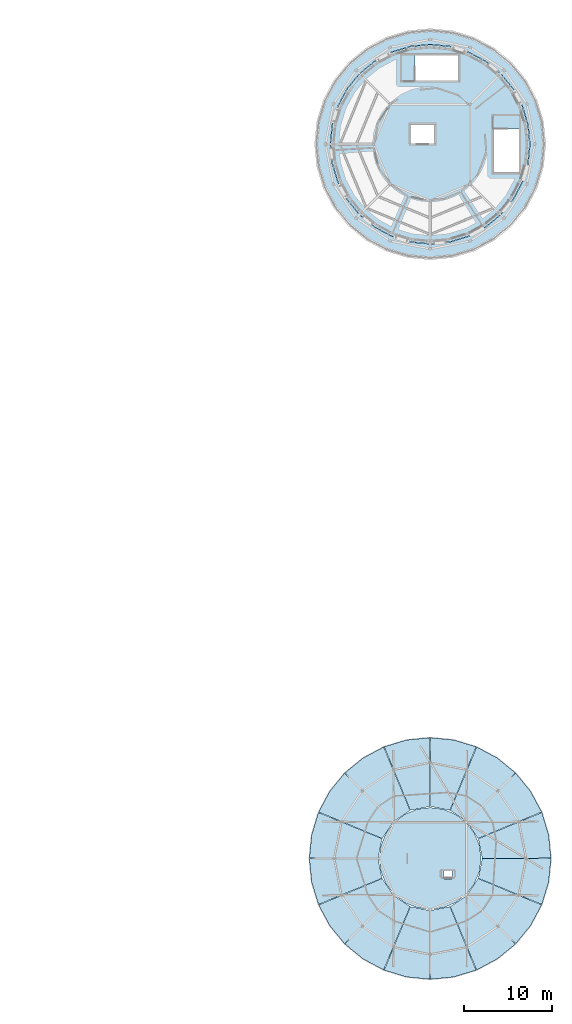
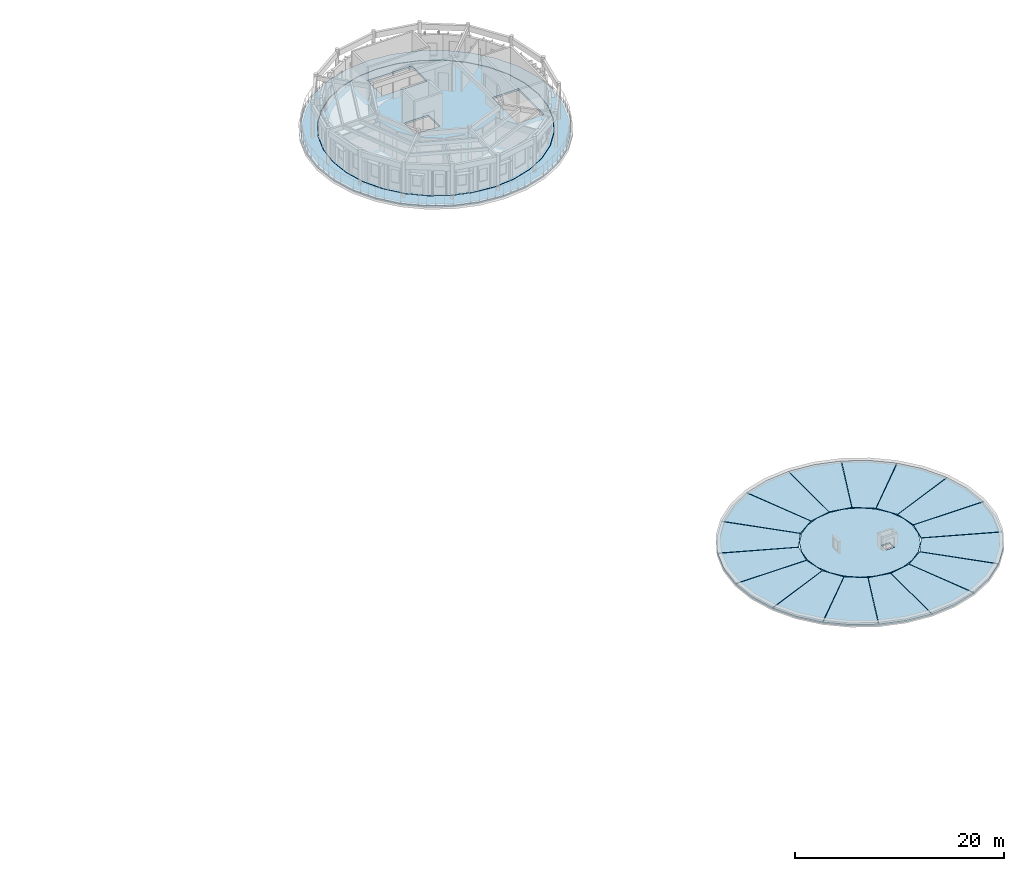
# One storey, part 13 of 37: 19 slabs.
"""IFC4 building model written with IfcOpenShell, lengths in metres."""

from ifc_helpers import new_model, si_unit, direction, frame, origin, place, context, subcontext, project, spatial, polyline, outline, extrude, material, layer, layer_set, type_object, element, save


model = new_model("IFC4")

# Units and contexts
model_context = context("Model", 3, precision=1e-05, world=origin(), true_north=direction((0.0, 1.0)))
body_context = subcontext(model_context, "Body", "Model", "MODEL_VIEW")
ifc_project = project(units=[si_unit("LENGTHUNIT", "METRE"), si_unit("AREAUNIT", "SQUARE_METRE"), si_unit("VOLUMEUNIT", "CUBIC_METRE"), si_unit("PLANEANGLEUNIT", "RADIAN"), si_unit("MASSUNIT", "GRAM", prefix="KILO")], contexts=[model_context])

# Site, building, storey
site_placement = place(None, origin())
site = spatial("IfcSite", under=ifc_project, at=site_placement, CompositionType="ELEMENT")
building_placement = place(site_placement, origin())
building = spatial("IfcBuilding", under=site, at=building_placement, Name="Aldenvaro Health Centre", CompositionType="ELEMENT")
storey_placement = place(building_placement, frame((0.0, 0.0, 12.949951171875)))
storey = spatial("IfcBuildingStorey", under=building, at=storey_placement, Name="L03", CompositionType="ELEMENT", Elevation=12.949951171875)

# Slabs
ifc_material_1 = material(Name="Cross-laminated timber CLT E1", Category="wood")
ifc_layer_1 = layer(ifc_material_1, 0.22509765625, Name="Cross-laminated timber CLT E1", Category="wood")
ifc_layer_set_1 = layer_set([ifc_layer_1], Name="Cross-laminated timber CLT E1")
slab_type_1 = type_object("IfcSlabType", Name="SLB-CLT-225", PredefinedType="FLOOR", material=ifc_layer_set_1)
slab_1_placement = place(storey_placement, frame((0.0, 0.0, -0.224853515625)))
element("IfcSlab", 1, at=slab_1_placement, inside=storey, type_object=slab_type_1, Name="D2 L03 floor slab", PredefinedType="FLOOR", context=body_context, shape_type="SweptSolid", body=[
    extrude(outline(polyline([(165.800048828125, 99.5), (165.5830078125, 101.705078125), (164.93994140625, 103.823974609375), (163.89599609375, 105.778076171875), (162.489990234375, 107.489990234375), (160.778076171875, 108.89599609375), (158.823974609375, 109.93994140625), (156.705078125, 110.5830078125), (154.5, 110.800048828125), (152.294921875, 110.5830078125), (150.176025390625, 109.93994140625), (148.221923828125, 108.89599609375), (146.510009765625, 107.489990234375), (145.10400390625, 105.778076171875), (144.06005859375, 103.823974609375), (143.4169921875, 101.705078125), (143.199951171875, 99.5), (143.4169921875, 97.294921875), (144.06005859375, 95.176025390625), (145.10400390625, 93.221923828125), (146.510009765625, 91.510009765625), (148.221923828125, 90.10400390625), (150.176025390625, 89.06005859375), (152.294921875, 88.4169921875), (154.5, 88.199951171875), (156.705078125, 88.4169921875), (158.823974609375, 89.06005859375), (160.778076171875, 90.10400390625), (162.489990234375, 91.510009765625), (163.89599609375, 93.221923828125), (164.93994140625, 95.176025390625), (165.5830078125, 97.294921875), (165.800048828125, 99.5)]), holes=[polyline([(161.699951171875, 101.199951171875), (161.699951171875, 96.300048828125), (164.60009765625, 96.300048828125), (164.60009765625, 101.199951171875), (161.699951171875, 101.199951171875)]), polyline([(152.800048828125, 106.699951171875), (157.699951171875, 106.699951171875), (157.699951171875, 109.60009765625), (152.800048828125, 109.60009765625), (152.800048828125, 106.699951171875)]), polyline([(152.324951171875, 99.574951171875), (154.97509765625, 99.574951171875), (154.97509765625, 101.72509765625), (152.324951171875, 101.72509765625), (152.324951171875, 99.574951171875)])]), origin(), (0.0, 0.0, 1.0), 0.224853515625),
])
ifc_layer_2 = layer(ifc_material_1, 0.175048828125, Name="Cross-laminated timber CLT E1", Category="wood")
ifc_layer_set_2 = layer_set([ifc_layer_2], Name="Cross-laminated timber CLT E1")
slab_type_2 = type_object("IfcSlabType", Name="SLB-ROOF-175", PredefinedType="ROOF", material=ifc_layer_set_2)
slab_2_placement = place(storey_placement, frame((0.0, 0.0, 0.6201171875)))
element("IfcSlab", 2, at=slab_2_placement, inside=storey, type_object=slab_type_2, Name="D6 Overhanging Flat Roof Sector 01", PredefinedType="ROOF", context=body_context, shape_type="SweptSolid", body=[
    extrude(outline(polyline([(168.199951171875, 18.529052734375), (167.93701171875, 21.173095703125), (167.16796875, 23.717041015625), (159.9560546875, 20.7470703125), (160.39990234375, 18.511962890625), (168.199951171875, 18.529052734375)])), origin(), (0.0, 0.0, 1.0), 0.175048828125),
])
slab_3_placement = place(storey_placement, frame((0.0, 0.0, 0.6201171875)))
element("IfcSlab", 3, at=slab_3_placement, inside=storey, type_object=slab_type_2, Name="D6 Overhanging Flat Roof Sector 02", PredefinedType="ROOF", context=body_context, shape_type="SweptSolid", body=[
    extrude(outline(polyline([(167.14599609375, 23.77001953125), (165.89111328125, 26.111083984375), (164.2080078125, 28.1669921875), (158.680908203125, 22.6630859375), (159.946044921875, 20.76904296875), (167.14599609375, 23.77001953125)])), origin(), (0.0, 0.0, 1.0), 0.175048828125),
])
slab_4_placement = place(storey_placement, frame((0.0, 0.0, 0.6201171875)))
element("IfcSlab", 4, at=slab_4_placement, inside=storey, type_object=slab_type_2, Name="D6 Overhanging Flat Roof Sector 03", PredefinedType="ROOF", context=body_context, shape_type="SweptSolid", body=[
    extrude(outline(polyline([(164.1669921875, 28.2080078125), (162.111083984375, 29.89111328125), (159.77001953125, 31.14599609375), (156.76904296875, 23.946044921875), (158.6630859375, 22.680908203125), (164.1669921875, 28.2080078125)])), origin(), (0.0, 0.0, 1.0), 0.175048828125),
])
slab_5_placement = place(storey_placement, frame((0.0, 0.0, 0.6201171875)))
element("IfcSlab", 5, at=slab_5_placement, inside=storey, type_object=slab_type_2, Name="D6 Overhanging Flat Roof Sector 04", PredefinedType="ROOF", context=body_context, shape_type="SweptSolid", body=[
    extrude(outline(polyline([(159.717041015625, 31.16796875), (157.173095703125, 31.93701171875), (154.529052734375, 32.199951171875), (154.511962890625, 24.39990234375), (156.7470703125, 23.9560546875), (159.717041015625, 31.16796875)])), origin(), (0.0, 0.0, 1.0), 0.175048828125),
])
slab_6_placement = place(storey_placement, frame((0.0, 0.0, 0.6201171875)))
element("IfcSlab", 6, at=slab_6_placement, inside=storey, type_object=slab_type_2, Name="D6 Overhanging Flat Roof Sector 05", PredefinedType="ROOF", context=body_context, shape_type="SweptSolid", body=[
    extrude(outline(polyline([(154.470947265625, 32.199951171875), (151.826904296875, 31.93701171875), (149.282958984375, 31.16796875), (152.2529296875, 23.9560546875), (154.488037109375, 24.39990234375), (154.470947265625, 32.199951171875)])), origin(), (0.0, 0.0, 1.0), 0.175048828125),
])
slab_7_placement = place(storey_placement, frame((0.0, 0.0, 0.6201171875)))
element("IfcSlab", 7, at=slab_7_placement, inside=storey, type_object=slab_type_2, Name="D6 Overhanging Flat Roof Sector 06", PredefinedType="ROOF", context=body_context, shape_type="SweptSolid", body=[
    extrude(outline(polyline([(149.22998046875, 31.14599609375), (146.888916015625, 29.89111328125), (144.8330078125, 28.2080078125), (150.3369140625, 22.680908203125), (152.23095703125, 23.946044921875), (149.22998046875, 31.14599609375)])), origin(), (0.0, 0.0, 1.0), 0.175048828125),
])
slab_8_placement = place(storey_placement, frame((0.0, 0.0, 0.6201171875)))
element("IfcSlab", 8, at=slab_8_placement, inside=storey, type_object=slab_type_2, Name="D6 Overhanging Flat Roof Sector 07", PredefinedType="ROOF", context=body_context, shape_type="SweptSolid", body=[
    extrude(outline(polyline([(144.7919921875, 28.1669921875), (143.10888671875, 26.111083984375), (141.85400390625, 23.77001953125), (149.053955078125, 20.76904296875), (150.319091796875, 22.6630859375), (144.7919921875, 28.1669921875)])), origin(), (0.0, 0.0, 1.0), 0.175048828125),
])
slab_9_placement = place(storey_placement, frame((0.0, 0.0, 0.6201171875)))
element("IfcSlab", 9, at=slab_9_placement, inside=storey, type_object=slab_type_2, Name="D6 Overhanging Flat Roof Sector 08", PredefinedType="ROOF", context=body_context, shape_type="SweptSolid", body=[
    extrude(outline(polyline([(141.83203125, 23.717041015625), (141.06298828125, 21.173095703125), (140.800048828125, 18.529052734375), (148.60009765625, 18.511962890625), (149.0439453125, 20.7470703125), (141.83203125, 23.717041015625)])), origin(), (0.0, 0.0, 1.0), 0.175048828125),
])
slab_10_placement = place(storey_placement, frame((0.0, 0.0, 0.6201171875)))
element("IfcSlab", 10, at=slab_10_placement, inside=storey, type_object=slab_type_2, Name="D6 Overhanging Flat Roof Sector 09", PredefinedType="ROOF", context=body_context, shape_type="SweptSolid", body=[
    extrude(outline(polyline([(140.800048828125, 18.470947265625), (141.06298828125, 15.826904296875), (141.83203125, 13.282958984375), (149.0439453125, 16.2529296875), (148.60009765625, 18.488037109375), (140.800048828125, 18.470947265625)])), origin(), (0.0, 0.0, 1.0), 0.175048828125),
])
slab_11_placement = place(storey_placement, frame((0.0, 0.0, 0.6201171875)))
element("IfcSlab", 11, at=slab_11_placement, inside=storey, type_object=slab_type_2, Name="D6 Overhanging Flat Roof Sector 10", PredefinedType="ROOF", context=body_context, shape_type="SweptSolid", body=[
    extrude(outline(polyline([(141.85400390625, 13.22998046875), (143.10888671875, 10.888916015625), (144.7919921875, 8.8330078125), (150.319091796875, 14.3369140625), (149.053955078125, 16.23095703125), (141.85400390625, 13.22998046875)])), origin(), (0.0, 0.0, 1.0), 0.175048828125),
])
slab_12_placement = place(storey_placement, frame((0.0, 0.0, 0.6201171875)))
element("IfcSlab", 12, at=slab_12_placement, inside=storey, type_object=slab_type_2, Name="D6 Overhanging Flat Roof Sector 11", PredefinedType="ROOF", context=body_context, shape_type="SweptSolid", body=[
    extrude(outline(polyline([(144.8330078125, 8.7919921875), (146.888916015625, 7.10888671875), (149.22998046875, 5.85400390625), (152.23095703125, 13.053955078125), (150.3369140625, 14.319091796875), (144.8330078125, 8.7919921875)])), origin(), (0.0, 0.0, 1.0), 0.175048828125),
])
slab_13_placement = place(storey_placement, frame((0.0, 0.0, 0.6201171875)))
element("IfcSlab", 13, at=slab_13_placement, inside=storey, type_object=slab_type_2, Name="D6 Overhanging Flat Roof Sector 12", PredefinedType="ROOF", context=body_context, shape_type="SweptSolid", body=[
    extrude(outline(polyline([(149.282958984375, 5.83203125), (151.826904296875, 5.06298828125), (154.470947265625, 4.800048828125), (154.488037109375, 12.60009765625), (152.2529296875, 13.0439453125), (149.282958984375, 5.83203125)])), origin(), (0.0, 0.0, 1.0), 0.175048828125),
])
slab_14_placement = place(storey_placement, frame((0.0, 0.0, 0.6201171875)))
element("IfcSlab", 14, at=slab_14_placement, inside=storey, type_object=slab_type_2, Name="D6 Overhanging Flat Roof Sector 13", PredefinedType="ROOF", context=body_context, shape_type="SweptSolid", body=[
    extrude(outline(polyline([(154.529052734375, 4.800048828125), (157.173095703125, 5.06298828125), (159.717041015625, 5.83203125), (156.7470703125, 13.0439453125), (154.511962890625, 12.60009765625), (154.529052734375, 4.800048828125)])), origin(), (0.0, 0.0, 1.0), 0.175048828125),
])
slab_15_placement = place(storey_placement, frame((0.0, 0.0, 0.6201171875)))
element("IfcSlab", 15, at=slab_15_placement, inside=storey, type_object=slab_type_2, Name="D6 Overhanging Flat Roof Sector 14", PredefinedType="ROOF", context=body_context, shape_type="SweptSolid", body=[
    extrude(outline(polyline([(159.77001953125, 5.85400390625), (162.111083984375, 7.10888671875), (164.1669921875, 8.7919921875), (158.6630859375, 14.319091796875), (156.76904296875, 13.053955078125), (159.77001953125, 5.85400390625)])), origin(), (0.0, 0.0, 1.0), 0.175048828125),
])
slab_16_placement = place(storey_placement, frame((0.0, 0.0, 0.6201171875)))
element("IfcSlab", 16, at=slab_16_placement, inside=storey, type_object=slab_type_2, Name="D6 Overhanging Flat Roof Sector 15", PredefinedType="ROOF", context=body_context, shape_type="SweptSolid", body=[
    extrude(outline(polyline([(164.2080078125, 8.8330078125), (165.89111328125, 10.888916015625), (167.14599609375, 13.22998046875), (159.946044921875, 16.23095703125), (158.680908203125, 14.3369140625), (164.2080078125, 8.8330078125)])), origin(), (0.0, 0.0, 1.0), 0.175048828125),
])
slab_17_placement = place(storey_placement, frame((0.0, 0.0, 0.6201171875)))
element("IfcSlab", 17, at=slab_17_placement, inside=storey, type_object=slab_type_2, Name="D6 Overhanging Flat Roof Sector 16", PredefinedType="ROOF", context=body_context, shape_type="SweptSolid", body=[
    extrude(outline(polyline([(167.16796875, 13.282958984375), (167.93701171875, 15.826904296875), (168.199951171875, 18.470947265625), (160.39990234375, 18.488037109375), (159.9560546875, 16.2529296875), (167.16796875, 13.282958984375)])), origin(), (0.0, 0.0, 1.0), 0.175048828125),
])
slab_18_placement = place(storey_placement, frame((0.0, 0.0, 0.6201171875)))
element("IfcSlab", 18, at=slab_18_placement, inside=storey, type_object=slab_type_2, Name="D6 Central Flat Roof Deck", PredefinedType="ROOF", context=body_context, shape_type="SweptSolid", body=[
    extrude(outline(polyline([(160.280029296875, 18.5), (160.0830078125, 19.99609375), (159.506103515625, 21.389892578125), (158.5869140625, 22.5869140625), (157.389892578125, 23.506103515625), (155.99609375, 24.0830078125), (154.5, 24.280029296875), (153.00390625, 24.0830078125), (151.610107421875, 23.506103515625), (150.4130859375, 22.5869140625), (149.493896484375, 21.389892578125), (148.9169921875, 19.99609375), (148.719970703125, 18.5), (148.9169921875, 17.00390625), (149.493896484375, 15.610107421875), (150.4130859375, 14.4130859375), (151.610107421875, 13.493896484375), (153.00390625, 12.9169921875), (154.5, 12.719970703125), (155.99609375, 12.9169921875), (157.389892578125, 13.493896484375), (158.5869140625, 14.4130859375), (159.506103515625, 15.610107421875), (160.0830078125, 17.00390625), (160.280029296875, 18.5)]), holes=[polyline([(156.050048828125, 16.179931640625), (156.050048828125, 17.080078125), (156.949951171875, 17.080078125), (156.949951171875, 16.179931640625), (156.050048828125, 16.179931640625)])]), origin(), (0.0, 0.0, 1.0), 0.175048828125),
])
ifc_material_2 = material(Name="Concrete f'c 40 MPa", Category="concrete")
ifc_layer_3 = layer(ifc_material_2, 0.22509765625, Name="Concrete f'c 40 MPa", Category="concrete")
ifc_layer_set_3 = layer_set([ifc_layer_3], Name="Concrete f'c 40 MPa")
slab_type_3 = type_object("IfcSlabType", Name="SLB-TER-225", PredefinedType="FLOOR", material=ifc_layer_set_3)
slab_19_placement = place(storey_placement, frame((0.0, 0.0, -0.224853515625)))
element("IfcSlab", 19, at=slab_19_placement, inside=storey, type_object=slab_type_3, Name="D2 L03 recovery belvedere terrace slab", PredefinedType="FLOOR", context=body_context, shape_type="SweptSolid", body=[
    extrude(outline(polyline([(167.2109375, 96.971923828125), (166.472900390625, 94.5400390625), (165.27587890625, 92.300048828125), (163.6640625, 90.3359375), (161.699951171875, 88.72412109375), (159.4599609375, 87.527099609375), (157.028076171875, 86.7890625), (154.5, 86.5400390625), (151.971923828125, 86.7890625), (149.5400390625, 87.527099609375), (147.300048828125, 88.72412109375), (145.3359375, 90.3359375), (143.72412109375, 92.300048828125), (142.527099609375, 94.5400390625), (141.7890625, 96.971923828125), (141.5400390625, 99.5), (141.7890625, 102.028076171875), (142.527099609375, 104.4599609375), (143.72412109375, 106.699951171875), (145.3359375, 108.6640625), (147.300048828125, 110.27587890625), (149.5400390625, 111.472900390625), (151.971923828125, 112.2109375), (154.5, 112.4599609375), (157.028076171875, 112.2109375), (159.4599609375, 111.472900390625), (161.699951171875, 110.27587890625), (163.6640625, 108.6640625), (165.27587890625, 106.699951171875), (166.472900390625, 104.4599609375), (167.2109375, 102.028076171875), (167.4599609375, 99.5), (167.2109375, 96.971923828125)]), holes=[polyline([(165.613037109375, 101.7109375), (164.968017578125, 103.8359375), (163.9208984375, 105.794921875), (162.510986328125, 107.510986328125), (160.794921875, 108.9208984375), (158.8359375, 109.968017578125), (156.7109375, 110.613037109375), (154.5, 110.830078125), (152.2890625, 110.613037109375), (150.1640625, 109.968017578125), (148.205078125, 108.9208984375), (146.489013671875, 107.510986328125), (145.0791015625, 105.794921875), (144.031982421875, 103.8359375), (143.386962890625, 101.7109375), (143.169921875, 99.5), (143.386962890625, 97.2890625), (144.031982421875, 95.1640625), (145.0791015625, 93.205078125), (146.489013671875, 91.489013671875), (148.205078125, 90.0791015625), (150.1640625, 89.031982421875), (152.2890625, 88.386962890625), (154.5, 88.169921875), (156.7109375, 88.386962890625), (158.8359375, 89.031982421875), (160.794921875, 90.0791015625), (162.510986328125, 91.489013671875), (163.9208984375, 93.205078125), (164.968017578125, 95.1640625), (165.613037109375, 97.2890625), (165.830078125, 99.5), (165.613037109375, 101.7109375)])]), origin(), (0.0, 0.0, 1.0), 0.224853515625),
])

save(model, "model.ifc")
